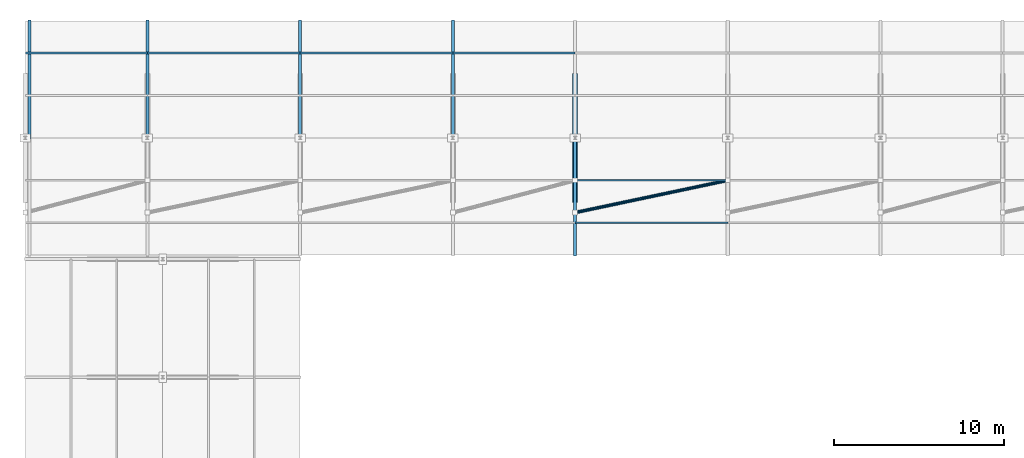
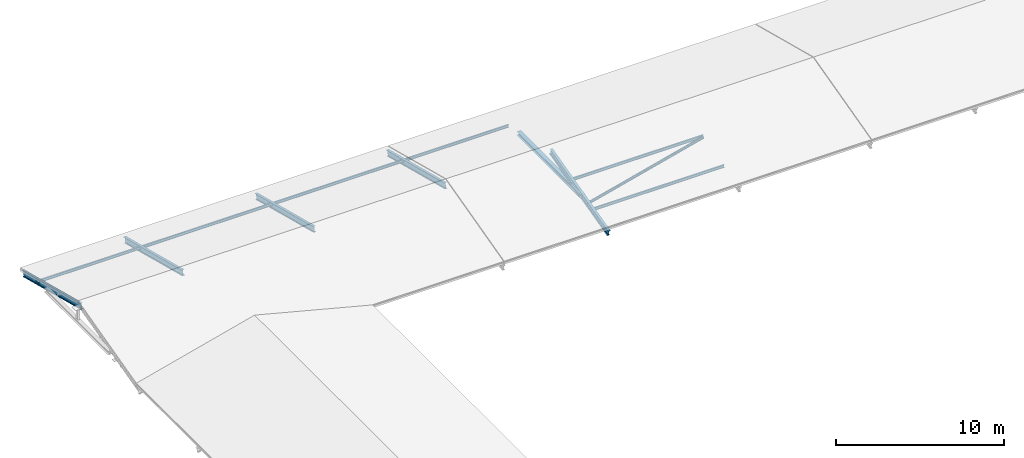
# One storey, part 14 of 31: 13 members.
"""IFC4 building model written with IfcOpenShell, lengths in metres."""

from ifc_helpers import new_model, si_unit, direction, frame, origin, origin_2d, place, context, subcontext, project, spatial, hollow_circle, i_section, extrude, material, material_profile, profile_set, type_object, element, save


model = new_model("IFC4")

# Units and contexts
model_context = context("Model", 3, precision=1e-05, world=origin(), true_north=direction((0.0, 1.0)))
body_context = subcontext(model_context, "Body", "Model", "MODEL_VIEW")
ifc_project = project(units=[si_unit("LENGTHUNIT", "METRE"), si_unit("AREAUNIT", "SQUARE_METRE"), si_unit("VOLUMEUNIT", "CUBIC_METRE"), si_unit("PLANEANGLEUNIT", "RADIAN"), si_unit("MASSUNIT", "GRAM", prefix="KILO")], contexts=[model_context])

# Site, building, storey
site_placement = place(None, origin())
site = spatial("IfcSite", under=ifc_project, at=site_placement, CompositionType="ELEMENT")
building_placement = place(site_placement, origin())
building = spatial("IfcBuilding", under=site, at=building_placement, Name="Clarverna Civic Hall", CompositionType="ELEMENT")
storey_placement = place(building_placement, frame((0.0, 0.0, 31.199951171875)))
storey = spatial("IfcBuildingStorey", under=building, at=storey_placement, Name="RF", CompositionType="ELEMENT", Elevation=31.199951171875)

# Members
ifc_material = material(Name="Steel S355", Category="steel")
ifc_material_profile_1 = material_profile(ifc_material, hollow_circle(Radius=0.096923828125, WallThickness=0.010009765625, at=origin_2d()), Name="CHS 193.7x10.0")
ifc_profile_set_1 = profile_set([ifc_material_profile_1], Name="Steel S355")
member_type_1 = type_object("IfcMemberType", Name="BRR-1", PredefinedType="BRACE", material=ifc_profile_set_1)
member_1_placement = place(storey_placement, frame((32.39990234375, 104.699951171875, -10.50341796875), z_axis=(0.977037540615, 0.2062793831, 0.053352228984), x_axis=(-0.206573594386, 0.978431065585, 0.0)))
element("IfcMember", 1, at=member_1_placement, inside=storey, type_object=member_type_1, Name="BRR-1-005", PredefinedType="BRACE", context=body_context, shape_type="SweptSolid", body=[
    extrude(hollow_circle(Radius=0.096923828125, WallThickness=0.010009765625, at=origin_2d()), origin(), (0.0, 0.0, 1.0), 9.21142578125),
])
ifc_material_profile_2 = material_profile(ifc_material, i_section(OverallWidth=0.280029296875, OverallDepth=0.27001953125, WebThickness=0.008056640625, FlangeThickness=0.012939453125, FilletRadius=0.02392578125, at=origin_2d()), Name="HEA 280")
ifc_profile_set_2 = profile_set([ifc_material_profile_2], Name="Steel S355")
member_type_2 = type_object("IfcMemberType", Name="CH-01", PredefinedType="CHORD", material=ifc_profile_set_2)
member_2_placement = place(storey_placement, frame((32.39990234375, 105.304931640625, -10.346923828125), z_axis=(0.0, 1.0, 0.0), x_axis=(-1.0, 0.0, 0.0)))
element("IfcMember", 2, at=member_2_placement, inside=storey, type_object=member_type_2, Name="CH-01-005", PredefinedType="CHORD", context=body_context, shape_type="SweptSolid", body=[
    extrude(i_section(OverallWidth=0.280029296875, OverallDepth=0.27001953125, WebThickness=0.008056640625, FlangeThickness=0.012939453125, FilletRadius=0.02392578125, at=origin_2d()), origin(), (0.0, 0.0, 1.0), 7.590087890625),
])
ifc_material_profile_3 = material_profile(ifc_material, i_section(OverallWidth=0.10009765625, OverallDepth=0.199951171875, WebThickness=0.005615234375, FlangeThickness=0.008544921875, FilletRadius=0.011962890625, at=origin_2d()), Name="IPE 200")
ifc_profile_set_3 = profile_set([ifc_material_profile_3], Name="Steel S355")
member_type_3 = type_object("IfcMemberType", Name="PU-RF1", PredefinedType="PURLIN", material=ifc_profile_set_3)
for number, where, z_axis, x_axis, name in (
    (3, (32.39990234375, 104.10009765625, -10.568603515625), (1.0, 0.0, 0.0), (0.0, 1.0, 0.0), "PU-RF1-005"),
    (4, (32.39990234375, 106.60009765625, -9.922119140625), (1.0, 0.0, 0.0), (0.0, 1.0, 0.0), "PU-RF1-013"),
):
    element("IfcMember", number, at=place(storey_placement, frame(where, z_axis=z_axis, x_axis=x_axis)), inside=storey, type_object=member_type_3, Name=name, PredefinedType="PURLIN", context=body_context, shape_type="SweptSolid", body=[
        extrude(i_section(OverallWidth=0.10009765625, OverallDepth=0.199951171875, WebThickness=0.005615234375, FlangeThickness=0.008544921875, FilletRadius=0.011962890625, at=origin_2d()), origin(), (0.0, 0.0, 1.0), 9.0),
    ])
member_3_placement = place(storey_placement, frame((0.0, 114.10009765625, -10.568603515625), z_axis=(1.0, 0.0, 0.0), x_axis=(0.0, 1.0, 0.0)))
element("IfcMember", 5, at=member_3_placement, inside=storey, type_object=member_type_3, Name="PU-RF1-025", PredefinedType="PURLIN", context=body_context, shape_type="SweptSolid", body=[
    extrude(i_section(OverallWidth=0.10009765625, OverallDepth=0.199951171875, WebThickness=0.005615234375, FlangeThickness=0.008544921875, FilletRadius=0.011962890625, at=origin_2d()), origin(), (0.0, 0.0, 1.0), 7.199951171875),
])
for number, where, z_axis, x_axis, name in (
    (6, (7.199951171875, 114.10009765625, -10.568603515625), (1.0, 0.0, 0.0), (0.0, 1.0, 0.0), "PU-RF1-026"),
    (7, (16.199951171875, 114.10009765625, -10.568603515625), (1.0, 0.0, 0.0), (0.0, 1.0, 0.0), "PU-RF1-027"),
):
    element("IfcMember", number, at=place(storey_placement, frame(where, z_axis=z_axis, x_axis=x_axis)), inside=storey, type_object=member_type_3, Name=name, PredefinedType="PURLIN", context=body_context, shape_type="SweptSolid", body=[
        extrude(i_section(OverallWidth=0.10009765625, OverallDepth=0.199951171875, WebThickness=0.005615234375, FlangeThickness=0.008544921875, FilletRadius=0.011962890625, at=origin_2d()), origin(), (0.0, 0.0, 1.0), 9.0),
    ])
member_4_placement = place(storey_placement, frame((25.199951171875, 114.10009765625, -10.568603515625), z_axis=(1.0, 0.0, 0.0), x_axis=(0.0, 1.0, 0.0)))
element("IfcMember", 8, at=member_4_placement, inside=storey, type_object=member_type_3, Name="PU-RF1-028", PredefinedType="PURLIN", context=body_context, shape_type="SweptSolid", body=[
    extrude(i_section(OverallWidth=0.10009765625, OverallDepth=0.199951171875, WebThickness=0.005615234375, FlangeThickness=0.008544921875, FilletRadius=0.011962890625, at=origin_2d()), origin(), (0.0, 0.0, 1.0), 7.199951171875),
])
ifc_material_profile_4 = material_profile(ifc_material, i_section(OverallWidth=0.179931640625, OverallDepth=0.39990234375, WebThickness=0.008544921875, FlangeThickness=0.013427734375, FilletRadius=0.02099609375, at=origin_2d()), Name="IPE 400")
ifc_profile_set_4 = profile_set([ifc_material_profile_4], Name="Steel S355")
member_type_4 = type_object("IfcMemberType", Name="RF-01", PredefinedType="RAFTER", material=ifc_profile_set_4)
for number, where, z_axis, x_axis, name in (
    (9, (0.239990234375, 116.0, -11.14990234375), (0.0, -0.968148056974, 0.250378393193), (1.0, 0.0, 0.0), "RF-01-002"),
    (10, (7.199951171875, 116.0, -11.14990234375), (0.0, -0.968148056974, 0.250378393193), (1.0, 0.0, 0.0), "RF-01-004"),
    (11, (16.199951171875, 116.0, -11.14990234375), (0.0, -0.968148056974, 0.250378393193), (1.0, 0.0, 0.0), "RF-01-006"),
    (12, (25.199951171875, 116.0, -11.14990234375), (0.0, -0.968148056974, 0.250378393193), (1.0, 0.0, 0.0), "RF-01-008"),
):
    element("IfcMember", number, at=place(storey_placement, frame(where, z_axis=z_axis, x_axis=x_axis)), inside=storey, type_object=member_type_4, Name=name, PredefinedType="RAFTER", context=body_context, shape_type="SweptSolid", body=[
        extrude(i_section(OverallWidth=0.179931640625, OverallDepth=0.39990234375, WebThickness=0.008544921875, FlangeThickness=0.013427734375, FilletRadius=0.02099609375, at=origin_2d()), origin(), (0.0, 0.0, 1.0), 7.126953125),
    ])
member_5_placement = place(storey_placement, frame((32.39990234375, 102.199951171875, -11.14990234375), z_axis=(0.0, 0.968150204364, 0.250370089647), x_axis=(-1.0, 0.0, 0.0)))
element("IfcMember", 13, at=member_5_placement, inside=storey, type_object=member_type_4, Name="RF-01-009", PredefinedType="RAFTER", context=body_context, shape_type="SweptSolid", body=[
    extrude(i_section(OverallWidth=0.179931640625, OverallDepth=0.39990234375, WebThickness=0.008544921875, FlangeThickness=0.013427734375, FilletRadius=0.02099609375, at=origin_2d()), origin(), (0.0, 0.0, 1.0), 7.127197265625),
])

save(model, "model.ifc")
